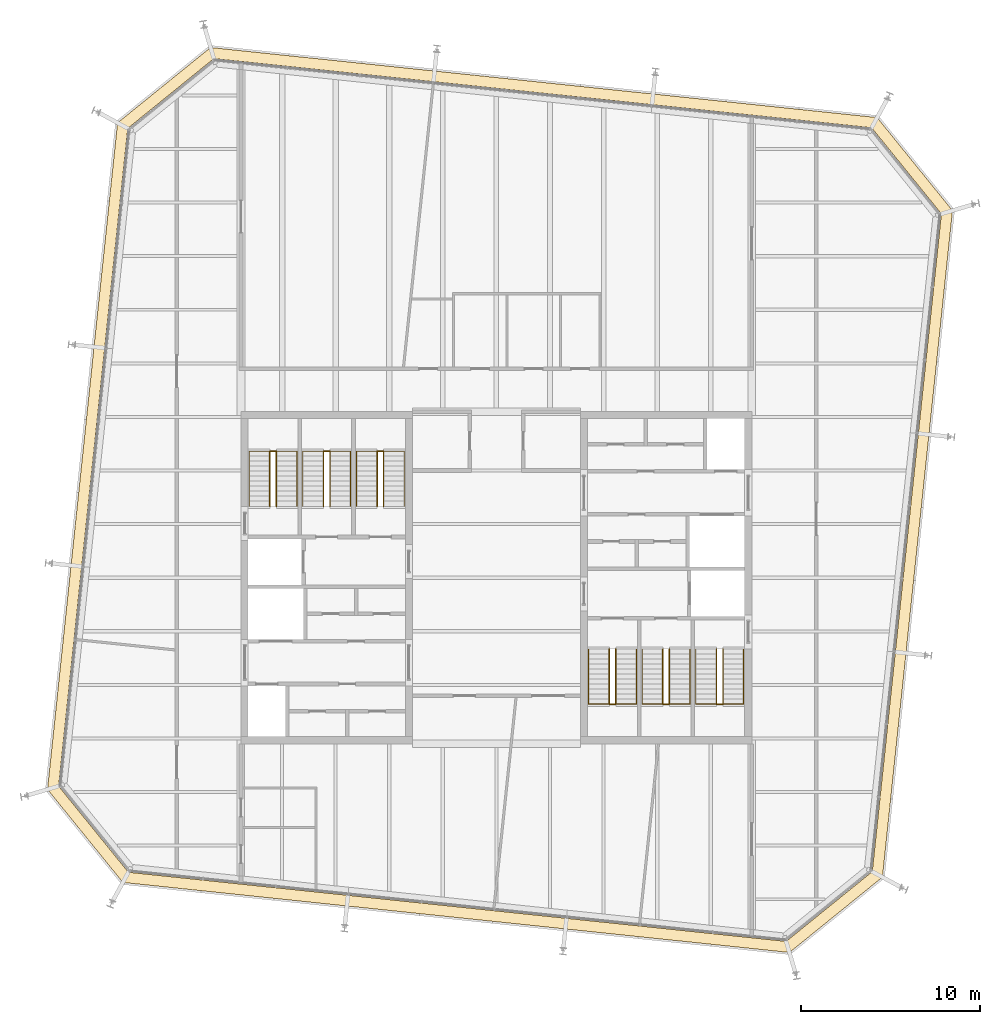
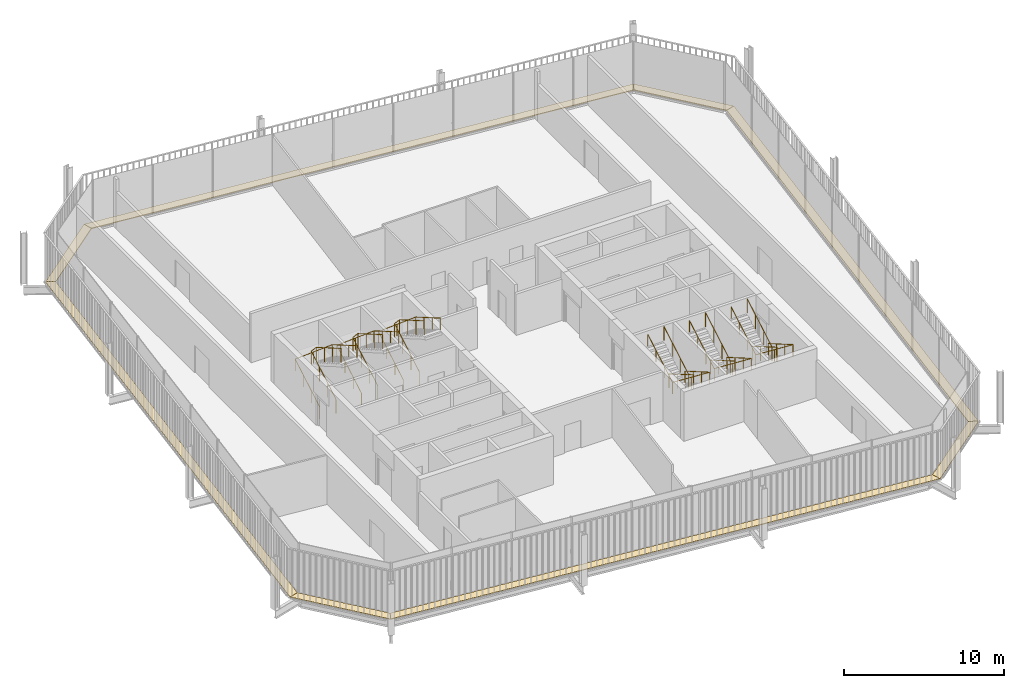
# One storey, part 20 of 20: 12 railings, 8 coverings.
"""IFC4 building model written with IfcOpenShell, lengths in metres."""

from ifc_helpers import new_model, si_unit, direction, frame, origin, origin_2d, place, context, subcontext, project, spatial, polyline, circle, outline, extrude, material, layer, layer_set, type_object, element, save


model = new_model("IFC4")

# Units and contexts
model_context = context("Model", 3, precision=1e-05, world=origin(), true_north=direction((0.0, 1.0)))
body_context = subcontext(model_context, "Body", "Model", "MODEL_VIEW")
ifc_project = project(units=[si_unit("LENGTHUNIT", "METRE"), si_unit("AREAUNIT", "SQUARE_METRE"), si_unit("VOLUMEUNIT", "CUBIC_METRE"), si_unit("PLANEANGLEUNIT", "RADIAN"), si_unit("MASSUNIT", "GRAM", prefix="KILO")], contexts=[model_context])

# Site, building, storey
site_placement = place(None, origin())
site = spatial("IfcSite", under=ifc_project, at=site_placement, CompositionType="ELEMENT")
building_placement = place(site_placement, origin())
building = spatial("IfcBuilding", under=site, at=building_placement, Name="Millrace Tower", CompositionType="ELEMENT")
storey_placement = place(building_placement, frame((0.0, 0.0, 322.60009765625)))
storey = spatial("IfcBuildingStorey", under=building, at=storey_placement, Name="L74", CompositionType="ELEMENT", Elevation=322.60009765625)

# Coverings
ifc_material_1 = material(Name="Steel ASTM A36", Category="steel")
ifc_layer = layer(ifc_material_1, 0.050048828125)
ifc_layer_set = layer_set([ifc_layer], Name="Steel ASTM A36")
covering_type = type_object("IfcCoveringType", Name="CAVITY CATWALK steel grating", PredefinedType="FLOORING", material=ifc_layer_set)
placement = place(storey_placement, frame((0.0, 0.0, 0.099853515625)))
element("IfcCovering", 1, at=placement, inside=storey, type_object=covering_type, Name="Cavity catwalk grating E-F01 L74 1", PredefinedType="FLOORING", context=body_context, shape_type="SweptSolid", body=[
    extrude(outline(polyline([(-25.13232421875, -11.8515625), (-20.914306640625, -17.060302734375), (-20.6044921875, -16.489501953125), (-24.509521484375, -11.6669921875), (-25.13232421875, -11.8515625)])), origin(), (0.0, 0.0, 1.0), 0.050048828125),
])
element("IfcCovering", 2, at=placement, inside=storey, type_object=covering_type, Name="Cavity catwalk grating E-F02 L74 1", PredefinedType="FLOORING", context=body_context, shape_type="SweptSolid", body=[
    extrude(outline(polyline([(-20.914306640625, -17.060302734375), (16.4013671875, -20.982177734375), (16.217041015625, -20.359619140625), (-20.6044921875, -16.489501953125), (-20.914306640625, -17.060302734375)])), origin(), (0.0, 0.0, 1.0), 0.050048828125),
])
element("IfcCovering", 3, at=placement, inside=storey, type_object=covering_type, Name="Cavity catwalk grating E-F03 L74 1", PredefinedType="FLOORING", context=body_context, shape_type="SweptSolid", body=[
    extrude(outline(polyline([(16.4013671875, -20.982177734375), (21.6103515625, -16.764404296875), (21.03955078125, -16.454345703125), (16.217041015625, -20.359619140625), (16.4013671875, -20.982177734375)])), origin(), (0.0, 0.0, 1.0), 0.050048828125),
])
element("IfcCovering", 4, at=placement, inside=storey, type_object=covering_type, Name="Cavity catwalk grating E-F04 L74 1", PredefinedType="FLOORING", context=body_context, shape_type="SweptSolid", body=[
    extrude(outline(polyline([(21.6103515625, -16.764404296875), (25.5322265625, 20.551513671875), (24.90966796875, 20.366943359375), (21.03955078125, -16.454345703125), (21.6103515625, -16.764404296875)])), origin(), (0.0, 0.0, 1.0), 0.050048828125),
])
element("IfcCovering", 5, at=placement, inside=storey, type_object=covering_type, Name="Cavity catwalk grating E-F05 L74 1", PredefinedType="FLOORING", context=body_context, shape_type="SweptSolid", body=[
    extrude(outline(polyline([(25.5322265625, 20.551513671875), (21.314208984375, 25.76025390625), (21.00439453125, 25.189453125), (24.90966796875, 20.366943359375), (25.5322265625, 20.551513671875)])), origin(), (0.0, 0.0, 1.0), 0.050048828125),
])
element("IfcCovering", 6, at=placement, inside=storey, type_object=covering_type, Name="Cavity catwalk grating E-F06 L74 1", PredefinedType="FLOORING", context=body_context, shape_type="SweptSolid", body=[
    extrude(outline(polyline([(21.314208984375, 25.76025390625), (-16.00146484375, 29.682373046875), (-15.817138671875, 29.0595703125), (21.00439453125, 25.189453125), (21.314208984375, 25.76025390625)])), origin(), (0.0, 0.0, 1.0), 0.050048828125),
])
element("IfcCovering", 7, at=placement, inside=storey, type_object=covering_type, Name="Cavity catwalk grating E-F07 L74 1", PredefinedType="FLOORING", context=body_context, shape_type="SweptSolid", body=[
    extrude(outline(polyline([(-16.00146484375, 29.682373046875), (-21.210205078125, 25.46435546875), (-20.639404296875, 25.154541015625), (-15.817138671875, 29.0595703125), (-16.00146484375, 29.682373046875)])), origin(), (0.0, 0.0, 1.0), 0.050048828125),
])
element("IfcCovering", 8, at=placement, inside=storey, type_object=covering_type, Name="Cavity catwalk grating E-F08 L74 1", PredefinedType="FLOORING", context=body_context, shape_type="SweptSolid", body=[
    extrude(outline(polyline([(-21.210205078125, 25.46435546875), (-25.13232421875, -11.8515625), (-24.509521484375, -11.6669921875), (-20.639404296875, 25.154541015625), (-21.210205078125, 25.46435546875)])), origin(), (0.0, 0.0, 1.0), 0.050048828125),
])

# Railings
ifc_material_2 = material(Name="Stainless steel ASTM A240 type 316", Category="steel")
railing_type_1 = type_object("IfcRailingType", Name="Stair guard 1100", PredefinedType="GUARDRAIL", material=ifc_material_2)
for number, where, name in (
    (9, (-12.679931640625, 4.0, 0.162353515625), "Stair guard 1 W L74"),
    (10, (-9.679931640625, 4.0, 0.162353515625), "Stair guard 2 W L74"),
    (11, (-6.679931640625, 4.0, 0.162353515625), "Stair guard 3 W L74"),
):
    element("IfcRailing", number, at=place(storey_placement, frame(where)), inside=storey, type_object=railing_type_1, Name=name, PredefinedType="GUARDRAIL", context=body_context, shape_type="SweptSolid", body=[
        extrude(circle(Radius=0.02392578125, at=origin_2d()), frame((0.0, 0.0, 1.076171875), z_axis=(0.0, 0.864890721111, 0.501960198159), x_axis=(-1.0, 0.0, 0.0)), (0.0, 0.0, 1.0), 3.561279296875),
        extrude(circle(Radius=0.02392578125, at=origin_2d()), frame((0.0, 3.080078125, 2.86376953125), z_axis=(0.91152767309, 0.0, 0.411238739895), x_axis=(0.0, 1.0, 0.0)), (0.0, 0.0, 1.0), 0.394775390625),
        extrude(circle(Radius=0.02392578125, at=origin_2d()), frame((0.35986328125, 3.080078125, 3.02587890625), z_axis=(0.0, -0.864890721111, 0.501960198159), x_axis=(1.0, 0.0, 0.0)), (0.0, 0.0, 1.0), 3.561279296875),
        extrude(circle(Radius=0.02099609375, at=origin_2d()), origin(), (0.0, 0.0, 1.0), 1.052001953125),
        extrude(circle(Radius=0.02099609375, at=origin_2d()), frame((0.0, 1.026611328125, 0.595947265625)), (0.0, 0.0, 1.0), 1.052001953125),
        extrude(circle(Radius=0.02099609375, at=origin_2d()), frame((0.0, 2.053466796875, 1.191650390625)), (0.0, 0.0, 1.0), 1.052001953125),
        extrude(circle(Radius=0.02099609375, at=origin_2d()), frame((0.0, 3.080078125, 1.78759765625)), (0.0, 0.0, 1.0), 1.052001953125),
        extrude(circle(Radius=0.02099609375, at=origin_2d()), frame((0.35986328125, 3.080078125, 1.949951171875)), (0.0, 0.0, 1.0), 1.052001953125),
        extrude(circle(Radius=0.02099609375, at=origin_2d()), frame((0.35986328125, 2.053466796875, 2.5458984375)), (0.0, 0.0, 1.0), 1.052001953125),
        extrude(circle(Radius=0.02099609375, at=origin_2d()), frame((0.35986328125, 1.026611328125, 3.1416015625)), (0.0, 0.0, 1.0), 1.052001953125),
        extrude(circle(Radius=0.02099609375, at=origin_2d()), frame((0.35986328125, 0.0, 3.737548828125)), (0.0, 0.0, 1.0), 1.052001953125),
    ])
for number, where, name in (
    (12, (12.679931640625, -4.0, 0.162353515625), "Stair guard 1 E L74"),
    (13, (9.679931640625, -4.0, 0.162353515625), "Stair guard 2 E L74"),
    (14, (6.679931640625, -4.0, 0.162353515625), "Stair guard 3 E L74"),
):
    element("IfcRailing", number, at=place(storey_placement, frame(where)), inside=storey, type_object=railing_type_1, Name=name, PredefinedType="GUARDRAIL", context=body_context, shape_type="SweptSolid", body=[
        extrude(circle(Radius=0.02392578125, at=origin_2d()), frame((0.0, 0.0, 1.076171875), z_axis=(0.0, -0.864890721111, 0.501960198159), x_axis=(1.0, 0.0, 0.0)), (0.0, 0.0, 1.0), 3.561279296875),
        extrude(circle(Radius=0.02392578125, at=origin_2d()), frame((0.0, -3.080078125, 2.86376953125), z_axis=(-0.91152767309, 0.0, 0.411238739895), x_axis=(0.0, -1.0, 0.0)), (0.0, 0.0, 1.0), 0.394775390625),
        extrude(circle(Radius=0.02392578125, at=origin_2d()), frame((-0.35986328125, -3.080078125, 3.02587890625), z_axis=(0.0, 0.864890721111, 0.501960198159), x_axis=(-1.0, 0.0, 0.0)), (0.0, 0.0, 1.0), 3.561279296875),
        extrude(circle(Radius=0.02099609375, at=origin_2d()), origin(), (0.0, 0.0, 1.0), 1.052001953125),
        extrude(circle(Radius=0.02099609375, at=origin_2d()), frame((0.0, -1.026611328125, 0.595947265625)), (0.0, 0.0, 1.0), 1.052001953125),
        extrude(circle(Radius=0.02099609375, at=origin_2d()), frame((0.0, -2.053466796875, 1.191650390625)), (0.0, 0.0, 1.0), 1.052001953125),
        extrude(circle(Radius=0.02099609375, at=origin_2d()), frame((0.0, -3.080078125, 1.78759765625)), (0.0, 0.0, 1.0), 1.052001953125),
        extrude(circle(Radius=0.02099609375, at=origin_2d()), frame((-0.35986328125, -3.080078125, 1.949951171875)), (0.0, 0.0, 1.0), 1.052001953125),
        extrude(circle(Radius=0.02099609375, at=origin_2d()), frame((-0.35986328125, -2.053466796875, 2.5458984375)), (0.0, 0.0, 1.0), 1.052001953125),
        extrude(circle(Radius=0.02099609375, at=origin_2d()), frame((-0.35986328125, -1.026611328125, 3.1416015625)), (0.0, 0.0, 1.0), 1.052001953125),
        extrude(circle(Radius=0.02099609375, at=origin_2d()), frame((-0.35986328125, 0.0, 3.737548828125)), (0.0, 0.0, 1.0), 1.052001953125),
    ])
ifc_material_3 = material(Name="Stainless steel ASTM A240 type 316", Category="steel")
railing_type_2 = type_object("IfcRailingType", Name="Stair handrail 900", PredefinedType="HANDRAIL", material=ifc_material_3)
railing_1_placement = place(storey_placement, frame((-13.840087890625, 4.0, 0.162353515625)))
element("IfcRailing", 15, at=railing_1_placement, inside=storey, type_object=railing_type_2, Name="Stair handrail 1 W L74", PredefinedType="HANDRAIL", context=body_context, shape_type="SweptSolid", body=[
    extrude(circle(Radius=0.02392578125, at=origin_2d()), frame((0.0, 0.0, 0.8759765625), z_axis=(0.0, 0.864890721111, 0.501960198159), x_axis=(-1.0, 0.0, 0.0)), (0.0, 0.0, 1.0), 3.561279296875),
    extrude(circle(Radius=0.02392578125, at=origin_2d()), frame((0.0, 3.080078125, 2.66357421875), z_axis=(0.998170326313, 0.0, 0.06046486309), x_axis=(0.0, 1.0, 0.0)), (0.0, 0.0, 1.0), 2.68505859375),
    extrude(circle(Radius=0.02392578125, at=origin_2d()), frame((2.68017578125, 3.080078125, 2.82568359375), z_axis=(0.0, -0.864890721111, 0.501960198159), x_axis=(1.0, 0.0, 0.0)), (0.0, 0.0, 1.0), 3.561279296875),
    extrude(circle(Radius=0.02099609375, at=origin_2d()), origin(), (0.0, 0.0, 1.0), 0.851806640625),
    extrude(circle(Radius=0.02099609375, at=origin_2d()), frame((0.0, 1.026611328125, 0.595947265625)), (0.0, 0.0, 1.0), 0.851806640625),
    extrude(circle(Radius=0.02099609375, at=origin_2d()), frame((0.0, 2.053466796875, 1.191650390625)), (0.0, 0.0, 1.0), 0.851806640625),
    extrude(circle(Radius=0.02099609375, at=origin_2d()), frame((0.0, 3.080078125, 1.78759765625)), (0.0, 0.0, 1.0), 0.851806640625),
    extrude(circle(Radius=0.02099609375, at=origin_2d()), frame((1.340087890625, 3.080078125, 1.86865234375)), (0.0, 0.0, 1.0), 0.851806640625),
    extrude(circle(Radius=0.02099609375, at=origin_2d()), frame((2.68017578125, 3.080078125, 1.949951171875)), (0.0, 0.0, 1.0), 0.851806640625),
    extrude(circle(Radius=0.02099609375, at=origin_2d()), frame((2.68017578125, 2.053466796875, 2.5458984375)), (0.0, 0.0, 1.0), 0.851806640625),
    extrude(circle(Radius=0.02099609375, at=origin_2d()), frame((2.68017578125, 1.026611328125, 3.1416015625)), (0.0, 0.0, 1.0), 0.851806640625),
    extrude(circle(Radius=0.02099609375, at=origin_2d()), frame((2.68017578125, 0.0, 3.737548828125)), (0.0, 0.0, 1.0), 0.851806640625),
])
railing_2_placement = place(storey_placement, frame((-10.840087890625, 4.0, 0.162353515625)))
element("IfcRailing", 16, at=railing_2_placement, inside=storey, type_object=railing_type_2, Name="Stair handrail 2 W L74", PredefinedType="HANDRAIL", context=body_context, shape_type="SweptSolid", body=[
    extrude(circle(Radius=0.02392578125, at=origin_2d()), frame((0.0, 0.0, 0.8759765625), z_axis=(0.0, 0.864890721111, 0.501960198159), x_axis=(-1.0, 0.0, 0.0)), (0.0, 0.0, 1.0), 3.561279296875),
    extrude(circle(Radius=0.02392578125, at=origin_2d()), frame((0.0, 3.080078125, 2.66357421875), z_axis=(0.998170326313, 0.0, 0.06046486309), x_axis=(0.0, 1.0, 0.0)), (0.0, 0.0, 1.0), 2.68505859375),
    extrude(circle(Radius=0.02392578125, at=origin_2d()), frame((2.68017578125, 3.080078125, 2.82568359375), z_axis=(0.0, -0.864890721111, 0.501960198159), x_axis=(1.0, 0.0, 0.0)), (0.0, 0.0, 1.0), 3.561279296875),
    extrude(circle(Radius=0.02099609375, at=origin_2d()), origin(), (0.0, 0.0, 1.0), 0.851806640625),
    extrude(circle(Radius=0.02099609375, at=origin_2d()), frame((0.0, 1.026611328125, 0.595947265625)), (0.0, 0.0, 1.0), 0.851806640625),
    extrude(circle(Radius=0.02099609375, at=origin_2d()), frame((0.0, 2.053466796875, 1.191650390625)), (0.0, 0.0, 1.0), 0.851806640625),
    extrude(circle(Radius=0.02099609375, at=origin_2d()), frame((0.0, 3.080078125, 1.78759765625)), (0.0, 0.0, 1.0), 0.851806640625),
    extrude(circle(Radius=0.02099609375, at=origin_2d()), frame((1.340087890625, 3.080078125, 1.86865234375)), (0.0, 0.0, 1.0), 0.851806640625),
    extrude(circle(Radius=0.02099609375, at=origin_2d()), frame((2.68017578125, 3.080078125, 1.949951171875)), (0.0, 0.0, 1.0), 0.851806640625),
    extrude(circle(Radius=0.02099609375, at=origin_2d()), frame((2.68017578125, 2.053466796875, 2.5458984375)), (0.0, 0.0, 1.0), 0.851806640625),
    extrude(circle(Radius=0.02099609375, at=origin_2d()), frame((2.68017578125, 1.026611328125, 3.1416015625)), (0.0, 0.0, 1.0), 0.851806640625),
    extrude(circle(Radius=0.02099609375, at=origin_2d()), frame((2.68017578125, 0.0, 3.737548828125)), (0.0, 0.0, 1.0), 0.851806640625),
])
railing_3_placement = place(storey_placement, frame((-7.840087890625, 4.0, 0.162353515625)))
element("IfcRailing", 17, at=railing_3_placement, inside=storey, type_object=railing_type_2, Name="Stair handrail 3 W L74", PredefinedType="HANDRAIL", context=body_context, shape_type="SweptSolid", body=[
    extrude(circle(Radius=0.02392578125, at=origin_2d()), frame((0.0, 0.0, 0.8759765625), z_axis=(0.0, 0.864890721111, 0.501960198159), x_axis=(-1.0, 0.0, 0.0)), (0.0, 0.0, 1.0), 3.561279296875),
    extrude(circle(Radius=0.02392578125, at=origin_2d()), frame((0.0, 3.080078125, 2.66357421875), z_axis=(0.998170326313, 0.0, 0.06046486309), x_axis=(0.0, 1.0, 0.0)), (0.0, 0.0, 1.0), 2.68505859375),
    extrude(circle(Radius=0.02392578125, at=origin_2d()), frame((2.68017578125, 3.080078125, 2.82568359375), z_axis=(0.0, -0.864890721111, 0.501960198159), x_axis=(1.0, 0.0, 0.0)), (0.0, 0.0, 1.0), 3.561279296875),
    extrude(circle(Radius=0.02099609375, at=origin_2d()), origin(), (0.0, 0.0, 1.0), 0.851806640625),
    extrude(circle(Radius=0.02099609375, at=origin_2d()), frame((0.0, 1.026611328125, 0.595947265625)), (0.0, 0.0, 1.0), 0.851806640625),
    extrude(circle(Radius=0.02099609375, at=origin_2d()), frame((0.0, 2.053466796875, 1.191650390625)), (0.0, 0.0, 1.0), 0.851806640625),
    extrude(circle(Radius=0.02099609375, at=origin_2d()), frame((0.0, 3.080078125, 1.78759765625)), (0.0, 0.0, 1.0), 0.851806640625),
    extrude(circle(Radius=0.02099609375, at=origin_2d()), frame((1.340087890625, 3.080078125, 1.86865234375)), (0.0, 0.0, 1.0), 0.851806640625),
    extrude(circle(Radius=0.02099609375, at=origin_2d()), frame((2.68017578125, 3.080078125, 1.949951171875)), (0.0, 0.0, 1.0), 0.851806640625),
    extrude(circle(Radius=0.02099609375, at=origin_2d()), frame((2.68017578125, 2.053466796875, 2.5458984375)), (0.0, 0.0, 1.0), 0.851806640625),
    extrude(circle(Radius=0.02099609375, at=origin_2d()), frame((2.68017578125, 1.026611328125, 3.1416015625)), (0.0, 0.0, 1.0), 0.851806640625),
    extrude(circle(Radius=0.02099609375, at=origin_2d()), frame((2.68017578125, 0.0, 3.737548828125)), (0.0, 0.0, 1.0), 0.851806640625),
])
railing_4_placement = place(storey_placement, frame((13.840087890625, -4.0, 0.162353515625)))
element("IfcRailing", 18, at=railing_4_placement, inside=storey, type_object=railing_type_2, Name="Stair handrail 1 E L74", PredefinedType="HANDRAIL", context=body_context, shape_type="SweptSolid", body=[
    extrude(circle(Radius=0.02392578125, at=origin_2d()), frame((0.0, 0.0, 0.8759765625), z_axis=(0.0, -0.864890721111, 0.501960198159), x_axis=(1.0, 0.0, 0.0)), (0.0, 0.0, 1.0), 3.561279296875),
    extrude(circle(Radius=0.02392578125, at=origin_2d()), frame((0.0, -3.080078125, 2.66357421875), z_axis=(-0.998170326313, 0.0, 0.06046486309), x_axis=(0.0, -1.0, 0.0)), (0.0, 0.0, 1.0), 2.68505859375),
    extrude(circle(Radius=0.02392578125, at=origin_2d()), frame((-2.68017578125, -3.080078125, 2.82568359375), z_axis=(0.0, 0.864890721111, 0.501960198159), x_axis=(-1.0, 0.0, 0.0)), (0.0, 0.0, 1.0), 3.561279296875),
    extrude(circle(Radius=0.02099609375, at=origin_2d()), origin(), (0.0, 0.0, 1.0), 0.851806640625),
    extrude(circle(Radius=0.02099609375, at=origin_2d()), frame((0.0, -1.026611328125, 0.595947265625)), (0.0, 0.0, 1.0), 0.851806640625),
    extrude(circle(Radius=0.02099609375, at=origin_2d()), frame((0.0, -2.053466796875, 1.191650390625)), (0.0, 0.0, 1.0), 0.851806640625),
    extrude(circle(Radius=0.02099609375, at=origin_2d()), frame((0.0, -3.080078125, 1.78759765625)), (0.0, 0.0, 1.0), 0.851806640625),
    extrude(circle(Radius=0.02099609375, at=origin_2d()), frame((-1.340087890625, -3.080078125, 1.86865234375)), (0.0, 0.0, 1.0), 0.851806640625),
    extrude(circle(Radius=0.02099609375, at=origin_2d()), frame((-2.68017578125, -3.080078125, 1.949951171875)), (0.0, 0.0, 1.0), 0.851806640625),
    extrude(circle(Radius=0.02099609375, at=origin_2d()), frame((-2.68017578125, -2.053466796875, 2.5458984375)), (0.0, 0.0, 1.0), 0.851806640625),
    extrude(circle(Radius=0.02099609375, at=origin_2d()), frame((-2.68017578125, -1.026611328125, 3.1416015625)), (0.0, 0.0, 1.0), 0.851806640625),
    extrude(circle(Radius=0.02099609375, at=origin_2d()), frame((-2.68017578125, 0.0, 3.737548828125)), (0.0, 0.0, 1.0), 0.851806640625),
])
railing_5_placement = place(storey_placement, frame((10.840087890625, -4.0, 0.162353515625)))
element("IfcRailing", 19, at=railing_5_placement, inside=storey, type_object=railing_type_2, Name="Stair handrail 2 E L74", PredefinedType="HANDRAIL", context=body_context, shape_type="SweptSolid", body=[
    extrude(circle(Radius=0.02392578125, at=origin_2d()), frame((0.0, 0.0, 0.8759765625), z_axis=(0.0, -0.864890721111, 0.501960198159), x_axis=(1.0, 0.0, 0.0)), (0.0, 0.0, 1.0), 3.561279296875),
    extrude(circle(Radius=0.02392578125, at=origin_2d()), frame((0.0, -3.080078125, 2.66357421875), z_axis=(-0.998170326313, 0.0, 0.06046486309), x_axis=(0.0, -1.0, 0.0)), (0.0, 0.0, 1.0), 2.68505859375),
    extrude(circle(Radius=0.02392578125, at=origin_2d()), frame((-2.68017578125, -3.080078125, 2.82568359375), z_axis=(0.0, 0.864890721111, 0.501960198159), x_axis=(-1.0, 0.0, 0.0)), (0.0, 0.0, 1.0), 3.561279296875),
    extrude(circle(Radius=0.02099609375, at=origin_2d()), origin(), (0.0, 0.0, 1.0), 0.851806640625),
    extrude(circle(Radius=0.02099609375, at=origin_2d()), frame((0.0, -1.026611328125, 0.595947265625)), (0.0, 0.0, 1.0), 0.851806640625),
    extrude(circle(Radius=0.02099609375, at=origin_2d()), frame((0.0, -2.053466796875, 1.191650390625)), (0.0, 0.0, 1.0), 0.851806640625),
    extrude(circle(Radius=0.02099609375, at=origin_2d()), frame((0.0, -3.080078125, 1.78759765625)), (0.0, 0.0, 1.0), 0.851806640625),
    extrude(circle(Radius=0.02099609375, at=origin_2d()), frame((-1.340087890625, -3.080078125, 1.86865234375)), (0.0, 0.0, 1.0), 0.851806640625),
    extrude(circle(Radius=0.02099609375, at=origin_2d()), frame((-2.68017578125, -3.080078125, 1.949951171875)), (0.0, 0.0, 1.0), 0.851806640625),
    extrude(circle(Radius=0.02099609375, at=origin_2d()), frame((-2.68017578125, -2.053466796875, 2.5458984375)), (0.0, 0.0, 1.0), 0.851806640625),
    extrude(circle(Radius=0.02099609375, at=origin_2d()), frame((-2.68017578125, -1.026611328125, 3.1416015625)), (0.0, 0.0, 1.0), 0.851806640625),
    extrude(circle(Radius=0.02099609375, at=origin_2d()), frame((-2.68017578125, 0.0, 3.737548828125)), (0.0, 0.0, 1.0), 0.851806640625),
])
railing_6_placement = place(storey_placement, frame((7.840087890625, -4.0, 0.162353515625)))
element("IfcRailing", 20, at=railing_6_placement, inside=storey, type_object=railing_type_2, Name="Stair handrail 3 E L74", PredefinedType="HANDRAIL", context=body_context, shape_type="SweptSolid", body=[
    extrude(circle(Radius=0.02392578125, at=origin_2d()), frame((0.0, 0.0, 0.8759765625), z_axis=(0.0, -0.864890721111, 0.501960198159), x_axis=(1.0, 0.0, 0.0)), (0.0, 0.0, 1.0), 3.561279296875),
    extrude(circle(Radius=0.02392578125, at=origin_2d()), frame((0.0, -3.080078125, 2.66357421875), z_axis=(-0.998170326313, 0.0, 0.06046486309), x_axis=(0.0, -1.0, 0.0)), (0.0, 0.0, 1.0), 2.68505859375),
    extrude(circle(Radius=0.02392578125, at=origin_2d()), frame((-2.68017578125, -3.080078125, 2.82568359375), z_axis=(0.0, 0.864890721111, 0.501960198159), x_axis=(-1.0, 0.0, 0.0)), (0.0, 0.0, 1.0), 3.561279296875),
    extrude(circle(Radius=0.02099609375, at=origin_2d()), origin(), (0.0, 0.0, 1.0), 0.851806640625),
    extrude(circle(Radius=0.02099609375, at=origin_2d()), frame((0.0, -1.026611328125, 0.595947265625)), (0.0, 0.0, 1.0), 0.851806640625),
    extrude(circle(Radius=0.02099609375, at=origin_2d()), frame((0.0, -2.053466796875, 1.191650390625)), (0.0, 0.0, 1.0), 0.851806640625),
    extrude(circle(Radius=0.02099609375, at=origin_2d()), frame((0.0, -3.080078125, 1.78759765625)), (0.0, 0.0, 1.0), 0.851806640625),
    extrude(circle(Radius=0.02099609375, at=origin_2d()), frame((-1.340087890625, -3.080078125, 1.86865234375)), (0.0, 0.0, 1.0), 0.851806640625),
    extrude(circle(Radius=0.02099609375, at=origin_2d()), frame((-2.68017578125, -3.080078125, 1.949951171875)), (0.0, 0.0, 1.0), 0.851806640625),
    extrude(circle(Radius=0.02099609375, at=origin_2d()), frame((-2.68017578125, -2.053466796875, 2.5458984375)), (0.0, 0.0, 1.0), 0.851806640625),
    extrude(circle(Radius=0.02099609375, at=origin_2d()), frame((-2.68017578125, -1.026611328125, 3.1416015625)), (0.0, 0.0, 1.0), 0.851806640625),
    extrude(circle(Radius=0.02099609375, at=origin_2d()), frame((-2.68017578125, 0.0, 3.737548828125)), (0.0, 0.0, 1.0), 0.851806640625),
])

save(model, "model.ifc")
